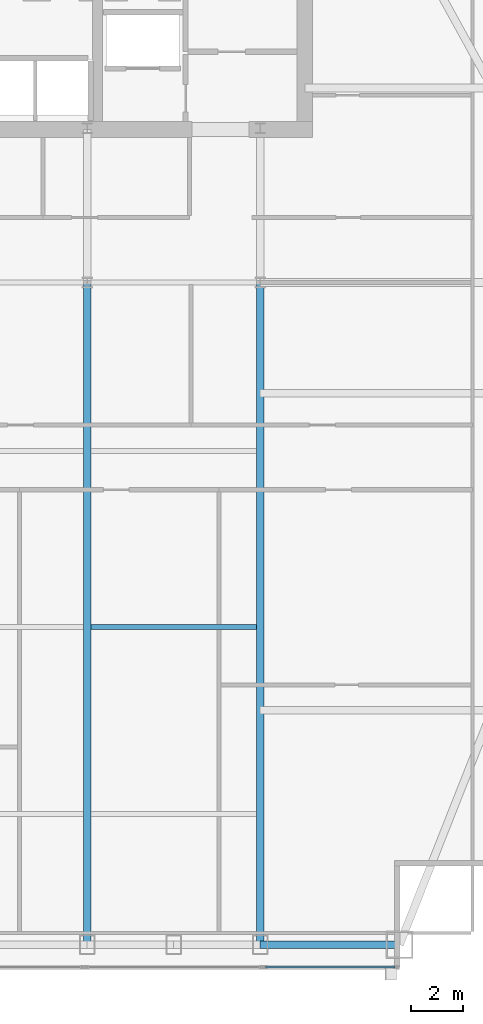
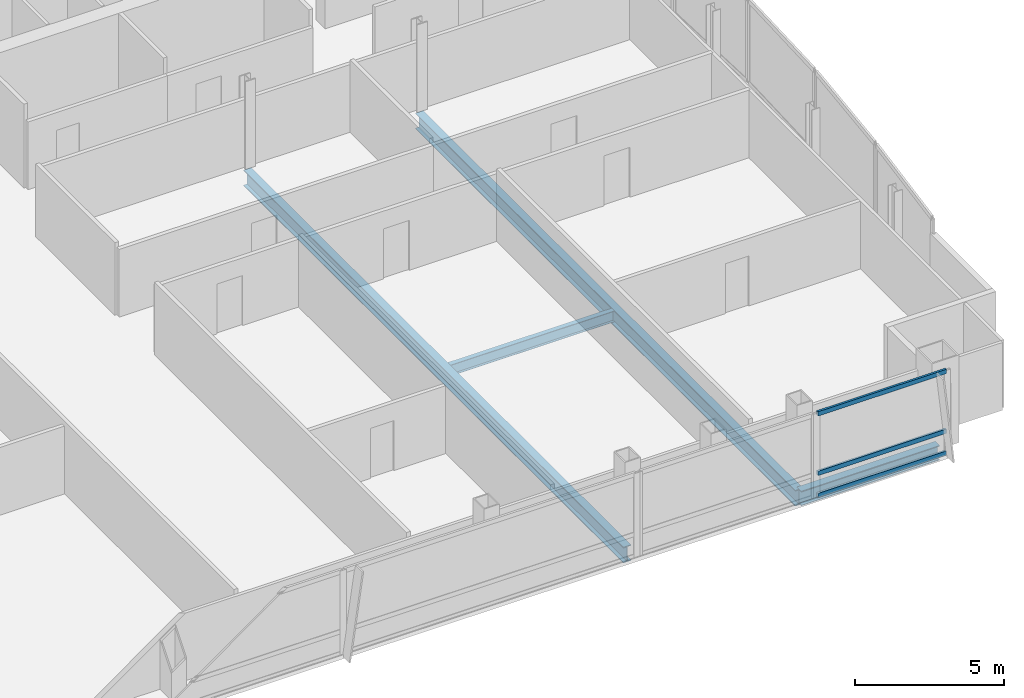
# One storey, part 15 of 29: 4 beams, 3 members, 1 element without a shape of its own.
"""IFC4 building model written with IfcOpenShell, lengths in metres."""

from ifc_helpers import new_model, si_unit, direction, frame, origin, origin_2d, place, context, subcontext, project, spatial, hollow_rectangle, i_section, extrude, material, material_profile, profile_set, type_object, element, aggregate, save


model = new_model("IFC4")

# Units and contexts
model_context = context("Model", 3, precision=1e-05, world=origin(), true_north=direction((0.0, 1.0)))
body_context = subcontext(model_context, "Body", "Model", "MODEL_VIEW")
ifc_project = project(units=[si_unit("LENGTHUNIT", "METRE"), si_unit("AREAUNIT", "SQUARE_METRE"), si_unit("VOLUMEUNIT", "CUBIC_METRE"), si_unit("PLANEANGLEUNIT", "RADIAN"), si_unit("MASSUNIT", "GRAM", prefix="KILO")], contexts=[model_context])

# Site, building, storey
site_placement = place(None, origin())
site = spatial("IfcSite", under=ifc_project, at=site_placement, CompositionType="ELEMENT")
building_placement = place(site_placement, origin())
building = spatial("IfcBuilding", under=site, at=building_placement, Name="Khoronbel Lancet Exchange", CompositionType="ELEMENT")
storey_placement = place(building_placement, frame((0.0, 0.0, 242.60009765625)))
storey = spatial("IfcBuildingStorey", under=building, at=storey_placement, Name="L62", CompositionType="ELEMENT", Elevation=242.60009765625)

# Beams
ifc_material_1 = material(Name="Steel S355", Category="steel")
ifc_material_profile_1 = material_profile(ifc_material_1, i_section(OverallWidth=0.300048828125, OverallDepth=0.64990234375, WebThickness=0.01611328125, FlangeThickness=0.031005859375, at=origin_2d()), Name="HEB 650")
ifc_profile_set_1 = profile_set([ifc_material_profile_1], Name="Steel S355")
beam_type_1 = type_object("IfcBeamType", Name="BM-BG4", PredefinedType="BEAM", material=ifc_profile_set_1)
for number, where, z_axis, x_axis, name in (
    (1, (48.0, 10.14990234375, -0.485107421875), (0.0, 1.0, 0.0), (-1.0, 0.0, 0.0), "Level L62 south primary girder GS5"),
    (2, (54.675048828125, 10.14990234375, -0.485107421875), (0.0, 1.0, 0.0), (-1.0, 0.0, 0.0), "Level L62 south primary girder GS6"),
):
    element("IfcBeam", number, at=place(storey_placement, frame(where, z_axis=z_axis, x_axis=x_axis)), inside=storey, type_object=beam_type_1, Name=name, PredefinedType="BEAM", context=body_context, shape_type="SweptSolid", body=[
        extrude(i_section(OverallWidth=0.300048828125, OverallDepth=0.64990234375, WebThickness=0.01611328125, FlangeThickness=0.031005859375, at=origin_2d()), origin(), (0.0, 0.0, 1.0), 25.550048828125),
    ])
ifc_material_profile_2 = material_profile(ifc_material_1, i_section(OverallWidth=0.18994140625, OverallDepth=0.449951171875, WebThickness=0.009521484375, FlangeThickness=0.0146484375, at=origin_2d()), Name="IPE 450")
ifc_profile_set_2 = profile_set([ifc_material_profile_2], Name="Steel S355")
beam_type_2 = type_object("IfcBeamType", Name="BM-BJ4", PredefinedType="JOIST", material=ifc_profile_set_2)
beam_1_placement = place(storey_placement, frame((48.14990234375, 22.39990234375, -0.385009765625), z_axis=(1.0, 0.0, 0.0), x_axis=(0.0, 1.0, 0.0)))
element("IfcBeam", 3, at=beam_1_placement, inside=storey, type_object=beam_type_2, Name="Level L62 secondary composite joist J10", PredefinedType="JOIST", context=body_context, shape_type="SweptSolid", body=[
    extrude(i_section(OverallWidth=0.18994140625, OverallDepth=0.449951171875, WebThickness=0.009521484375, FlangeThickness=0.0146484375, at=origin_2d()), origin(), (0.0, 0.0, 1.0), 6.375),
])
ifc_material_profile_3 = material_profile(ifc_material_1, i_section(OverallWidth=0.300048828125, OverallDepth=0.60009765625, WebThickness=0.015380859375, FlangeThickness=0.030029296875, at=origin_2d()), Name="HEB 600")
ifc_profile_set_3 = profile_set([ifc_material_profile_3], Name="Steel S355")
beam_type_3 = type_object("IfcBeamType", Name="BM-BSP2", PredefinedType="SPANDREL", material=ifc_profile_set_3)
beam_2_placement = place(storey_placement, frame((54.675048828125, 10.14990234375, -0.460205078125), z_axis=(1.0, 0.0, 0.0), x_axis=(0.0, 1.0, 0.0)))
element("IfcBeam", 4, at=beam_2_placement, inside=storey, type_object=beam_type_3, Name="Level L62 perimeter spandrel beam SP09", PredefinedType="SPANDREL", context=body_context, shape_type="SweptSolid", body=[
    extrude(i_section(OverallWidth=0.300048828125, OverallDepth=0.60009765625, WebThickness=0.015380859375, FlangeThickness=0.030029296875, at=origin_2d()), origin(), (0.0, 0.0, 1.0), 5.375),
])

# Curtain wall, members
ifc_material_2 = material(Name="Low-E Solar Control Insulating Glass", Category="glass")
curtain_wall_type = type_object("IfcCurtainWallType", Name="CW-3", PredefinedType="NOTDEFINED", material=ifc_material_2)
curtain_wall_placement = place(storey_placement, origin())
curtain_wall = element("IfcCurtainWall", 5, at=curtain_wall_placement, inside=storey, type_object=curtain_wall_type, Name="Unitised curtain wall CW-L62-SEV", PredefinedType="NOTDEFINED")
ifc_material_3 = material(Name="Bronze-Anodised Aluminium 6063-T6", Category="aluminium")
ifc_material_profile_4 = material_profile(ifc_material_3, hollow_rectangle(XDim=0.0849609375, YDim=0.179931640625, WallThickness=0.0048828125, at=origin_2d()), Name="ALU TRANSOM 85x180")
ifc_profile_set_4 = profile_set([ifc_material_profile_4], Name="Bronze-Anodised Aluminium 6063-T6")
member_type = type_object("IfcMemberType", Name="MEM-CWT1", PredefinedType="USERDEFINED", material=ifc_profile_set_4)
member_1_placement = place(storey_placement, frame((54.885009765625, 9.2900390625, 0.04248046875), z_axis=(1.0, 0.0, 0.0), x_axis=(0.0, 1.0, 0.0)))
member_1 = element("IfcMember", 6, at=member_1_placement, type_object=member_type, Name="CW3 transom 1.1", ObjectType="TRANSOM", PredefinedType="USERDEFINED", context=body_context, shape_type="SweptSolid", body=[
    extrude(hollow_rectangle(XDim=0.0849609375, YDim=0.179931640625, WallThickness=0.0048828125, at=origin_2d()), origin(), (0.0, 0.0, 1.0), 4.989990234375),
])
member_2_placement = place(storey_placement, frame((54.885009765625, 9.2900390625, 0.949951171875), z_axis=(1.0, 0.0, 0.0), x_axis=(0.0, 1.0, 0.0)))
member_2 = element("IfcMember", 7, at=member_2_placement, type_object=member_type, Name="CW3 transom 1.2", ObjectType="TRANSOM", PredefinedType="USERDEFINED", context=body_context, shape_type="SweptSolid", body=[
    extrude(hollow_rectangle(XDim=0.0849609375, YDim=0.179931640625, WallThickness=0.0048828125, at=origin_2d()), origin(), (0.0, 0.0, 1.0), 4.989990234375),
])
member_3_placement = place(storey_placement, frame((54.885009765625, 9.2900390625, 3.3974609375), z_axis=(1.0, 0.0, 0.0), x_axis=(0.0, 1.0, 0.0)))
member_3 = element("IfcMember", 8, at=member_3_placement, type_object=member_type, Name="CW3 transom 1.3", ObjectType="TRANSOM", PredefinedType="USERDEFINED", context=body_context, shape_type="SweptSolid", body=[
    extrude(hollow_rectangle(XDim=0.0849609375, YDim=0.179931640625, WallThickness=0.0048828125, at=origin_2d()), origin(), (0.0, 0.0, 1.0), 4.989990234375),
])
aggregate(curtain_wall, [member_1, member_2, member_3])

save(model, "model.ifc")
